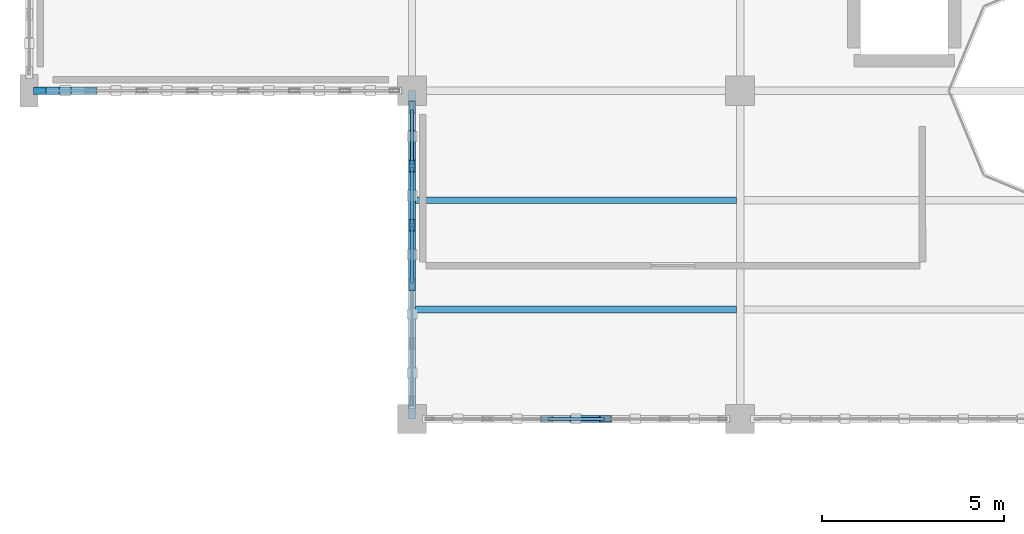
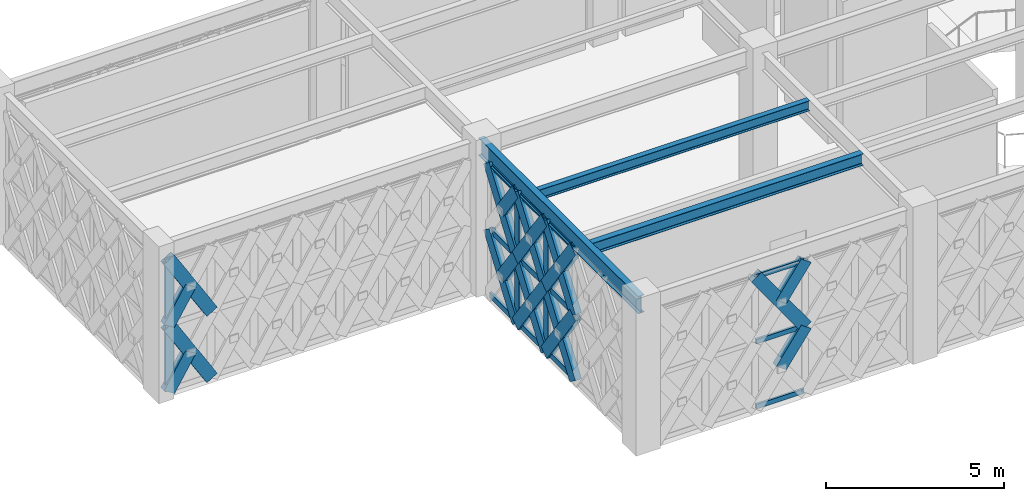
# One storey, part 4 of 86: 38 members, 3 beams, 3 elements without a shape of their own.
"""IFC4 building model written with IfcOpenShell, lengths in metres."""

import ifcopenshell
import ifcopenshell.guid

model = None  # the IFC model being written
_history = None  # IfcOwnerHistory: only IFC2X3 demands one
_inside = {}  # id of a spatial element -> (the spatial element, [elements in it])
_under = {}  # id of a project, library or spatial element -> (it, [spatial elements below it])
_declared = {}  # id of a project -> (the project, [libraries it declares])
_typed = {}  # id of a type object -> (the type object, [elements of that type])
_made_of = {}  # id of a material, layer set ... -> (it, [elements and type objects made of it])


def new_model(schema):
    """Start an empty IFC model of exactly this schema.

    Asked for "IFC4X3", IfcOpenShell would pick the latest addendum, in which some entities
    have other attributes; the version numbers below select the first issue.
    IFC2X3 requires an IfcOwnerHistory on every rooted entity: one is made here for all.
    """
    global model, _history
    if schema == "IFC4X3":
        model = ifcopenshell.file(schema_version=(4, 3, 0, 0))
    else:
        model = ifcopenshell.file(schema=schema)
    _inside.clear()
    _under.clear()
    _declared.clear()
    _typed.clear()
    _made_of.clear()
    _history = None
    if model.schema == "IFC2X3":
        org = make("IfcOrganization", Name="unknown")
        user = make(
            "IfcPersonAndOrganization",
            ThePerson=make("IfcPerson", FamilyName="unknown"),
            TheOrganization=org,
        )
        app = make(
            "IfcApplication",
            ApplicationDeveloper=org,
            Version="unknown",
            ApplicationFullName="unknown",
            ApplicationIdentifier="unknown",
        )
        _history = make(
            "IfcOwnerHistory",
            OwningUser=user,
            OwningApplication=app,
            ChangeAction="ADDED",
            CreationDate=0,
        )
    return model


def make(cls, **values):
    """One entity of the class cls with the attributes given. An attribute that is None is left unset."""
    return model.create_entity(
        cls, **{name: value for name, value in values.items() if value is not None}
    )


def rooted(cls, **values):
    """An entity with a GlobalId (a new one), such as an element, a storey or a relation."""
    return make(cls, GlobalId=ifcopenshell.guid.new(), OwnerHistory=_history, **values)


def si_unit(unit_type, name, prefix=None):
    """IfcSIUnit, for example si_unit("LENGTHUNIT", "METRE", prefix="MILLI")."""
    return make("IfcSIUnit", UnitType=unit_type, Prefix=prefix, Name=name)


def assignment(units):
    """IfcUnitAssignment: the units of a project."""
    return None if units is None else make("IfcUnitAssignment", Units=units)


def point(xyz):
    """IfcCartesianPoint."""
    return None if xyz is None else make("IfcCartesianPoint", Coordinates=xyz)


def direction(xyz):
    """IfcDirection."""
    return None if xyz is None else make("IfcDirection", DirectionRatios=xyz)


def frame(location, z_axis=None, x_axis=None):
    """IfcAxis2Placement3D, a coordinate frame: its origin and axes. An axis left out is left unset."""
    return make(
        "IfcAxis2Placement3D",
        Location=point(location),
        Axis=direction(z_axis),
        RefDirection=direction(x_axis),
    )


def frame_2d(location, x_axis=None):
    """IfcAxis2Placement2D, a coordinate frame in the plane: its origin and x axis."""
    return make(
        "IfcAxis2Placement2D", Location=point(location), RefDirection=direction(x_axis)
    )


def origin():
    """The frame at (0, 0, 0) with its axes left unset."""
    return frame((0.0, 0.0, 0.0))


def origin_2d():
    """The frame at (0, 0) in the plane with its x axis left unset."""
    return frame_2d((0.0, 0.0))


def place(relative_to, where):
    """IfcLocalPlacement: puts the frame where relative to a parent placement (None: the world)."""
    return make(
        "IfcLocalPlacement", PlacementRelTo=relative_to, RelativePlacement=where
    )


def context(
    kind, dimensions, precision=None, world=None, true_north=None, identifier=None
):
    """IfcGeometricRepresentationContext, for example the 3D "Model" context."""
    return make(
        "IfcGeometricRepresentationContext",
        ContextIdentifier=identifier,
        ContextType=kind,
        CoordinateSpaceDimension=dimensions,
        Precision=precision,
        WorldCoordinateSystem=world,
        TrueNorth=true_north,
    )


def subcontext(parent, identifier, kind, view, scale=None):
    """IfcGeometricRepresentationSubContext, for example "Body" below "Model"."""
    return make(
        "IfcGeometricRepresentationSubContext",
        ContextIdentifier=identifier,
        ContextType=kind,
        ParentContext=parent,
        TargetScale=scale,
        TargetView=view,
    )


def project(units=None, contexts=None):
    """IfcProject with its units and contexts."""
    return rooted(
        "IfcProject",
        Name="project",
        RepresentationContexts=contexts,
        UnitsInContext=assignment(units),
    )


def spatial(cls, under=None, at=None, **own):
    """A site, building, storey or space (cls), placed at a placement, below another one or the project."""
    s = rooted(cls, ObjectPlacement=at, **own)
    if under is not None:
        _under.setdefault(under.id(), (under, []))[1].append(s)
    return s


def profile(cls, at=None, kind="AREA", **sizes):
    """A parametric profile (cls). Its sizes go by their IFC names, for example OverallWidth=200.0."""
    return make(cls, ProfileType=kind, Position=at, **sizes)


def hollow_rectangle(**sizes):
    """IfcRectangleHollowProfileDef."""
    return profile("IfcRectangleHollowProfileDef", **sizes)


def i_section(**sizes):
    """IfcIShapeProfileDef."""
    return profile("IfcIShapeProfileDef", **sizes)


def extrude(swept, where, along, depth):
    """IfcExtrudedAreaSolid: the profile swept, set in the frame where, extruded along a direction by depth."""
    return make(
        "IfcExtrudedAreaSolid",
        SweptArea=swept,
        Position=where,
        ExtrudedDirection=direction(along),
        Depth=depth,
    )


def shape(context_of_items, identifier, shape_type, items):
    """IfcShapeRepresentation: the items that make up one representation, for example the "Body"."""
    return make(
        "IfcShapeRepresentation",
        ContextOfItems=context_of_items,
        RepresentationIdentifier=identifier,
        RepresentationType=shape_type,
        Items=items,
    )


def material(Name=None, Category=None):
    """IfcMaterial."""
    return make("IfcMaterial", Name=Name, Category=Category)


def material_profile(
    of_material, cross_section, Name=None, Category=None, Priority=None
):
    """IfcMaterialProfile: a cross section and its material."""
    return make(
        "IfcMaterialProfile",
        Name=Name,
        Material=of_material,
        Profile=cross_section,
        Priority=Priority,
        Category=Category,
    )


def profile_set(profiles, Name=None, composite=None):
    """IfcMaterialProfileSet."""
    return make(
        "IfcMaterialProfileSet",
        Name=Name,
        MaterialProfiles=profiles,
        CompositeProfile=composite,
    )


def made_of(thing, what):
    """Note that an element or type object is made of a material, layer set ...; save() writes the relation."""
    if what is not None:
        _made_of.setdefault(what.id(), (what, []))[1].append(thing)
    return thing


def type_object(cls, material=None, **own):
    """A type object (cls), such as IfcWallType, which elements share."""
    return made_of(rooted(cls, **own), material)


def element(
    cls,
    number,
    at=None,
    inside=None,
    cuts=None,
    type_object=None,
    material=None,
    context=None,
    identifier="Body",
    shape_type=None,
    held_by="IfcProductDefinitionShape",
    body=None,
    shapes=None,
    **own,
):
    """One element of the class cls, such as IfcWall. Its Tag is "e" and its number.

    at: its placement. inside: the storey or other place that contains it. cuts: it is an
    opening in that element (IfcRelVoidsElement). A single representation is given by context,
    identifier, shape_type and body (its items); several are given by shapes. held_by: the class
    of the entity that holds the representations. save() writes the other relations.
    """
    e = rooted(cls, Tag="e%d" % number, ObjectPlacement=at, **own)
    if body is not None:
        shapes = [shape(context, identifier, shape_type, body)]
    if shapes is not None:
        e.Representation = make(held_by, Representations=shapes)
    if inside is not None:
        _inside.setdefault(inside.id(), (inside, []))[1].append(e)
    if cuts is not None:
        rooted(
            "IfcRelVoidsElement", RelatingBuildingElement=cuts, RelatedOpeningElement=e
        )
    if type_object is not None:
        _typed.setdefault(type_object.id(), (type_object, []))[1].append(e)
    return made_of(e, material)


def aggregate(whole, parts):
    """IfcRelAggregates: a whole, such as a stair, and the parts it consists of."""
    return rooted("IfcRelAggregates", RelatingObject=whole, RelatedObjects=parts)


def save(model, path):
    """Write the relations noted so far, then the file.

    IfcRelAggregates (storeys below a building ...), IfcRelContainedInSpatialStructure (elements
    in a storey), IfcRelDefinesByType, IfcRelAssociatesMaterial and IfcRelDeclares: one each for
    every whole, place, type object, material and project.
    """
    for whole, parts in _under.values():
        aggregate(whole, parts)
    for where, things in _inside.values():
        rooted(
            "IfcRelContainedInSpatialStructure",
            RelatedElements=things,
            RelatingStructure=where,
        )
    for kind, things in _typed.values():
        rooted("IfcRelDefinesByType", RelatedObjects=things, RelatingType=kind)
    for what, things in _made_of.values():
        rooted("IfcRelAssociatesMaterial", RelatedObjects=things, RelatingMaterial=what)
    for by, libraries in _declared.values():
        rooted("IfcRelDeclares", RelatingContext=by, RelatedDefinitions=libraries)
    model.write(path)


model = new_model("IFC4")

# Units and contexts
model_context = context("Model", 3, precision=1e-05, world=origin(), true_north=direction((0.0, 1.0)))
body_context = subcontext(model_context, "Body", "Model", "MODEL_VIEW")
ifc_project = project(units=[si_unit("LENGTHUNIT", "METRE"), si_unit("AREAUNIT", "SQUARE_METRE"), si_unit("VOLUMEUNIT", "CUBIC_METRE"), si_unit("PLANEANGLEUNIT", "RADIAN"), si_unit("MASSUNIT", "GRAM", prefix="KILO")], contexts=[model_context])

# Site, building, storey
site_placement = place(None, origin())
site = spatial("IfcSite", under=ifc_project, at=site_placement, CompositionType="ELEMENT")
building_placement = place(site_placement, origin())
building = spatial("IfcBuilding", under=site, at=building_placement, Name="Haizhuo Lancet Aquarium", CompositionType="ELEMENT")
storey_placement = place(building_placement, frame((0.0, 0.0, 16.199951171875)))
storey = spatial("IfcBuildingStorey", under=building, at=storey_placement, Name="L03", CompositionType="ELEMENT", Elevation=16.199951171875)

# Beam
ifc_material_1 = material(Name="Steel S355", Category="steel")
ifc_material_profile_1 = material_profile(ifc_material_1, i_section(OverallWidth=0.199951171875, OverallDepth=0.60009765625, WebThickness=0.010986328125, FlangeThickness=0.01708984375, FilletRadius=0.02197265625, at=origin_2d()), Name="HN 600x200x11x17")
ifc_profile_set_1 = profile_set([ifc_material_profile_1], Name="Steel S355")
beam_type_1 = type_object("IfcBeamType", Name="BM-ST-HN600", PredefinedType="BEAM", material=ifc_profile_set_1)
beam_1_placement = place(storey_placement, frame((-72.0, -27.0, 4.85009765625), z_axis=(0.0, 1.0, 0.0), x_axis=(-1.0, 0.0, 0.0)))
element("IfcBeam", 1, at=beam_1_placement, inside=storey, type_object=beam_type_1, Name="L03 V6 primary girder BM-L03-V6-004", PredefinedType="BEAM", context=body_context, shape_type="SweptSolid", body=[
    extrude(i_section(OverallWidth=0.199951171875, OverallDepth=0.60009765625, WebThickness=0.010986328125, FlangeThickness=0.01708984375, FilletRadius=0.02197265625, at=origin_2d()), origin(), (0.0, 0.0, 1.0), 9.0),
])

# Curtain wall, member
ifc_material_2 = material(Name="Aluminium 6063-T6", Category="aluminium")
curtain_wall_type_1 = type_object("IfcCurtainWallType", Name="CWD-9760x4550", PredefinedType="NOTDEFINED", material=ifc_material_2)
curtain_wall_1_placement = place(storey_placement, origin())
curtain_wall_1 = element("IfcCurtainWall", 2, at=curtain_wall_1_placement, inside=storey, type_object=curtain_wall_type_1, Name="L03 curtain wall CW-V6-L03-228", PredefinedType="NOTDEFINED")
ifc_material_profile_2 = material_profile(ifc_material_2, hollow_rectangle(XDim=0.080078125, YDim=0.260009765625, WallThickness=0.0048828125, at=origin_2d()), Name="ALU-M 80x260x5")
ifc_profile_set_2 = profile_set([ifc_material_profile_2], Name="Aluminium 6063-T6")
member_type_1 = type_object("IfcMemberType", Name="CW-MUL-3", PredefinedType="MULLION", material=ifc_profile_set_2)
member_1_placement = place(storey_placement, frame((-82.1650390625, -18.0, 0.0), z_axis=(0.0, 0.0, 1.0), x_axis=(0.0, -1.0, 0.0)))
member_1 = element("IfcMember", 3, at=member_1_placement, type_object=member_type_1, Name="CWD-97x45 mullion 8", PredefinedType="MULLION", context=body_context, shape_type="SweptSolid", body=[
    extrude(hollow_rectangle(XDim=0.080078125, YDim=0.260009765625, WallThickness=0.0048828125, at=origin_2d()), origin(), (0.0, 0.0, 1.0), 4.550048828125),
])
aggregate(curtain_wall_1, [member_1])

# Curtain wall, members
curtain_wall_type_2 = type_object("IfcCurtainWallType", Name="CWD-8110x4550", PredefinedType="NOTDEFINED", material=ifc_material_2)
curtain_wall_2_placement = place(storey_placement, origin())
curtain_wall_2 = element("IfcCurtainWall", 4, at=curtain_wall_2_placement, inside=storey, type_object=curtain_wall_type_2, Name="L03 curtain wall CW-V6-L03-243", PredefinedType="NOTDEFINED")
member_2_placement = place(storey_placement, frame((-72.0, -21.68896484375, 0.0), z_axis=(0.0, 0.0, 1.0), x_axis=(-1.0, 0.0, 0.0)))
member_2 = element("IfcMember", 5, at=member_2_placement, type_object=member_type_1, Name="CWD-81x45 mullion 4", PredefinedType="MULLION", context=body_context, shape_type="SweptSolid", body=[
    extrude(hollow_rectangle(XDim=0.080078125, YDim=0.260009765625, WallThickness=0.0048828125, at=origin_2d()), origin(), (0.0, 0.0, 1.0), 4.550048828125),
])
member_3_placement = place(storey_placement, frame((-72.0, -20.06689453125, 0.0), z_axis=(0.0, 0.0, 1.0), x_axis=(-1.0, 0.0, 0.0)))
member_3 = element("IfcMember", 6, at=member_3_placement, type_object=member_type_1, Name="CWD-81x45 mullion 5", PredefinedType="MULLION", context=body_context, shape_type="SweptSolid", body=[
    extrude(hollow_rectangle(XDim=0.080078125, YDim=0.260009765625, WallThickness=0.0048828125, at=origin_2d()), origin(), (0.0, 0.0, 1.0), 4.550048828125),
])

curtain_wall_3_placement = place(storey_placement, origin())
curtain_wall_3 = element("IfcCurtainWall", 7, at=curtain_wall_3_placement, inside=storey, type_object=curtain_wall_type_2, Name="L03 curtain wall CW-V6-L03-242", PredefinedType="NOTDEFINED")
ifc_material_profile_3 = material_profile(ifc_material_2, hollow_rectangle(XDim=0.074951171875, YDim=0.159912109375, WallThickness=0.00390625, at=origin_2d()), Name="ALU-T 75x160x4")
ifc_profile_set_3 = profile_set([ifc_material_profile_3], Name="Aluminium 6063-T6")
member_type_2 = type_object("IfcMemberType", Name="CW-TRN-2", PredefinedType="NOTDEFINED", material=ifc_profile_set_3)
member_4_placement = place(storey_placement, frame((-66.72705078125, -27.0, 0.0380859375), z_axis=(-1.0, 0.0, 0.0), x_axis=(0.0, -1.0, 0.0)))
member_4 = element("IfcMember", 8, at=member_4_placement, type_object=member_type_2, Name="CWD-81x45 transom 3.1", ObjectType="TRANSOM", PredefinedType="USERDEFINED", context=body_context, shape_type="SweptSolid", body=[
    extrude(hollow_rectangle(XDim=0.074951171875, YDim=0.159912109375, WallThickness=0.00390625, at=origin_2d()), origin(), (0.0, 0.0, 1.0), 1.5458984375),
])
member_5_placement = place(storey_placement, frame((-66.72705078125, -27.0, 2.275146484375), z_axis=(-1.0, 0.0, 0.0), x_axis=(0.0, -1.0, 0.0)))
member_5 = element("IfcMember", 9, at=member_5_placement, type_object=member_type_2, Name="CWD-81x45 transom 3.2", ObjectType="TRANSOM", PredefinedType="USERDEFINED", context=body_context, shape_type="SweptSolid", body=[
    extrude(hollow_rectangle(XDim=0.074951171875, YDim=0.159912109375, WallThickness=0.00390625, at=origin_2d()), origin(), (0.0, 0.0, 1.0), 1.5458984375),
])
member_6_placement = place(storey_placement, frame((-66.72705078125, -27.0, 4.511962890625), z_axis=(-1.0, 0.0, 0.0), x_axis=(0.0, -1.0, 0.0)))
member_6 = element("IfcMember", 10, at=member_6_placement, type_object=member_type_2, Name="CWD-81x45 transom 3.3", ObjectType="TRANSOM", PredefinedType="USERDEFINED", context=body_context, shape_type="SweptSolid", body=[
    extrude(hollow_rectangle(XDim=0.074951171875, YDim=0.159912109375, WallThickness=0.00390625, at=origin_2d()), origin(), (0.0, 0.0, 1.0), 1.5458984375),
])
aggregate(curtain_wall_3, [member_4, member_5, member_6])

# Member
ifc_material_profile_4 = material_profile(ifc_material_2, hollow_rectangle(XDim=0.080078125, YDim=0.18994140625, WallThickness=0.0048828125, at=origin_2d()), Name="ALU-T 80x190x5")
ifc_profile_set_4 = profile_set([ifc_material_profile_4], Name="Aluminium 6063-T6")
member_type_3 = type_object("IfcMemberType", Name="CW-TRN-3", PredefinedType="NOTDEFINED", material=ifc_profile_set_4)
member_7_placement = place(storey_placement, frame((-72.0, -23.27099609375, 0.0400390625), z_axis=(0.0, 1.0, 0.0), x_axis=(-1.0, 0.0, 0.0)))
member_7 = element("IfcMember", 11, at=member_7_placement, type_object=member_type_3, Name="CWD-81x45 transom 3.1", ObjectType="TRANSOM", PredefinedType="USERDEFINED", context=body_context, shape_type="SweptSolid", body=[
    extrude(hollow_rectangle(XDim=0.080078125, YDim=0.18994140625, WallThickness=0.0048828125, at=origin_2d()), origin(), (0.0, 0.0, 1.0), 1.5419921875),
])

member_8_placement = place(storey_placement, frame((-72.0, -23.27099609375, 2.275146484375), z_axis=(0.0, 1.0, 0.0), x_axis=(-1.0, 0.0, 0.0)))
member_8 = element("IfcMember", 12, at=member_8_placement, type_object=member_type_3, Name="CWD-81x45 transom 3.2", ObjectType="TRANSOM", PredefinedType="USERDEFINED", context=body_context, shape_type="SweptSolid", body=[
    extrude(hollow_rectangle(XDim=0.080078125, YDim=0.18994140625, WallThickness=0.0048828125, at=origin_2d()), origin(), (0.0, 0.0, 1.0), 1.5419921875),
])

member_9_placement = place(storey_placement, frame((-72.0, -23.27099609375, 4.510009765625), z_axis=(0.0, 1.0, 0.0), x_axis=(-1.0, 0.0, 0.0)))
member_9 = element("IfcMember", 13, at=member_9_placement, type_object=member_type_3, Name="CWD-81x45 transom 3.3", ObjectType="TRANSOM", PredefinedType="USERDEFINED", context=body_context, shape_type="SweptSolid", body=[
    extrude(hollow_rectangle(XDim=0.080078125, YDim=0.18994140625, WallThickness=0.0048828125, at=origin_2d()), origin(), (0.0, 0.0, 1.0), 1.5419921875),
])

member_10_placement = place(storey_placement, frame((-72.0, -21.64892578125, 0.0400390625), z_axis=(0.0, 1.0, 0.0), x_axis=(-1.0, 0.0, 0.0)))
member_10 = element("IfcMember", 14, at=member_10_placement, type_object=member_type_3, Name="CWD-81x45 transom 4.1", ObjectType="TRANSOM", PredefinedType="USERDEFINED", context=body_context, shape_type="SweptSolid", body=[
    extrude(hollow_rectangle(XDim=0.080078125, YDim=0.18994140625, WallThickness=0.0048828125, at=origin_2d()), origin(), (0.0, 0.0, 1.0), 1.5419921875),
])

member_11_placement = place(storey_placement, frame((-72.0, -21.64892578125, 2.275146484375), z_axis=(0.0, 1.0, 0.0), x_axis=(-1.0, 0.0, 0.0)))
member_11 = element("IfcMember", 15, at=member_11_placement, type_object=member_type_3, Name="CWD-81x45 transom 4.2", ObjectType="TRANSOM", PredefinedType="USERDEFINED", context=body_context, shape_type="SweptSolid", body=[
    extrude(hollow_rectangle(XDim=0.080078125, YDim=0.18994140625, WallThickness=0.0048828125, at=origin_2d()), origin(), (0.0, 0.0, 1.0), 1.5419921875),
])

member_12_placement = place(storey_placement, frame((-72.0, -21.64892578125, 4.510009765625), z_axis=(0.0, 1.0, 0.0), x_axis=(-1.0, 0.0, 0.0)))
member_12 = element("IfcMember", 16, at=member_12_placement, type_object=member_type_3, Name="CWD-81x45 transom 4.3", ObjectType="TRANSOM", PredefinedType="USERDEFINED", context=body_context, shape_type="SweptSolid", body=[
    extrude(hollow_rectangle(XDim=0.080078125, YDim=0.18994140625, WallThickness=0.0048828125, at=origin_2d()), origin(), (0.0, 0.0, 1.0), 1.5419921875),
])

member_13_placement = place(storey_placement, frame((-72.0, -20.027099609375, 0.0400390625), z_axis=(0.0, 1.0, 0.0), x_axis=(-1.0, 0.0, 0.0)))
member_13 = element("IfcMember", 17, at=member_13_placement, type_object=member_type_3, Name="CWD-81x45 transom 5.1", ObjectType="TRANSOM", PredefinedType="USERDEFINED", context=body_context, shape_type="SweptSolid", body=[
    extrude(hollow_rectangle(XDim=0.080078125, YDim=0.18994140625, WallThickness=0.0048828125, at=origin_2d()), origin(), (0.0, 0.0, 1.0), 1.502197265625),
])

member_14_placement = place(storey_placement, frame((-72.0, -20.027099609375, 2.275146484375), z_axis=(0.0, 1.0, 0.0), x_axis=(-1.0, 0.0, 0.0)))
member_14 = element("IfcMember", 18, at=member_14_placement, type_object=member_type_3, Name="CWD-81x45 transom 5.2", ObjectType="TRANSOM", PredefinedType="USERDEFINED", context=body_context, shape_type="SweptSolid", body=[
    extrude(hollow_rectangle(XDim=0.080078125, YDim=0.18994140625, WallThickness=0.0048828125, at=origin_2d()), origin(), (0.0, 0.0, 1.0), 1.502197265625),
])

member_15_placement = place(storey_placement, frame((-72.0, -20.027099609375, 4.510009765625), z_axis=(0.0, 1.0, 0.0), x_axis=(-1.0, 0.0, 0.0)))
member_15 = element("IfcMember", 19, at=member_15_placement, type_object=member_type_3, Name="CWD-81x45 transom 5.3", ObjectType="TRANSOM", PredefinedType="USERDEFINED", context=body_context, shape_type="SweptSolid", body=[
    extrude(hollow_rectangle(XDim=0.080078125, YDim=0.18994140625, WallThickness=0.0048828125, at=origin_2d()), origin(), (0.0, 0.0, 1.0), 1.502197265625),
])

aggregate(curtain_wall_2, [member_2, member_3, member_7, member_8, member_9, member_10, member_11, member_12, member_13, member_14, member_15])

# Beams
ifc_material_profile_5 = material_profile(ifc_material_1, i_section(OverallWidth=0.175048828125, OverallDepth=0.35009765625, WebThickness=0.007080078125, FlangeThickness=0.010986328125, FilletRadius=0.013916015625, at=origin_2d()), Name="HN 350x175x7x11")
ifc_profile_set_5 = profile_set([ifc_material_profile_5], Name="Steel S355")
beam_type_2 = type_object("IfcBeamType", Name="JST-ST-HN350", PredefinedType="JOIST", material=ifc_profile_set_5)
beam_2_placement = place(storey_placement, frame((-71.89990234375, -21.0, 4.97509765625), z_axis=(1.0, 0.0, 0.0), x_axis=(0.0, 1.0, 0.0)))
element("IfcBeam", 20, at=beam_2_placement, inside=storey, type_object=beam_type_2, Name="L03 V6 secondary floor joist 4", PredefinedType="JOIST", context=body_context, shape_type="SweptSolid", body=[
    extrude(i_section(OverallWidth=0.175048828125, OverallDepth=0.35009765625, WebThickness=0.007080078125, FlangeThickness=0.010986328125, FilletRadius=0.013916015625, at=origin_2d()), origin(), (0.0, 0.0, 1.0), 8.7998046875),
])
ifc_material_profile_6 = material_profile(ifc_material_1, i_section(OverallWidth=0.199951171875, OverallDepth=0.39990234375, WebThickness=0.008056640625, FlangeThickness=0.012939453125, FilletRadius=0.01611328125, at=origin_2d()), Name="HN 400x200x8x13")
ifc_profile_set_6 = profile_set([ifc_material_profile_6], Name="Steel S355")
beam_type_3 = type_object("IfcBeamType", Name="JST-ST-HN400", PredefinedType="JOIST", material=ifc_profile_set_6)
beam_3_placement = place(storey_placement, frame((-71.89990234375, -24.0, 4.949951171875), z_axis=(1.0, 0.0, 0.0), x_axis=(0.0, 1.0, 0.0)))
element("IfcBeam", 21, at=beam_3_placement, inside=storey, type_object=beam_type_3, Name="L03 V6 secondary floor joist 3", PredefinedType="JOIST", context=body_context, shape_type="SweptSolid", body=[
    extrude(i_section(OverallWidth=0.199951171875, OverallDepth=0.39990234375, WebThickness=0.008056640625, FlangeThickness=0.012939453125, FilletRadius=0.01611328125, at=origin_2d()), origin(), (0.0, 0.0, 1.0), 8.7998046875),
])

# Members
ifc_material_profile_7 = material_profile(ifc_material_1, hollow_rectangle(XDim=0.199951171875, YDim=0.39990234375, WallThickness=0.011962890625, at=origin_2d()), Name="RHS 200x400x12")
ifc_profile_set_7 = profile_set([ifc_material_profile_7], Name="Steel S355")
member_type_4 = type_object("IfcMemberType", Name="MEM-LB-RHS200x400", PredefinedType="BRACE", material=ifc_profile_set_7)
member_16_placement = place(storey_placement, frame((-80.81103515625, -18.0, 0.0), z_axis=(-0.522452629968, 0.0, 0.852668311502), x_axis=(0.0, -1.0, 0.0)))
element("IfcMember", 22, at=member_16_placement, inside=storey, type_object=member_type_4, Name="Gothic lancet continuous diagonal brace CW-V6-L03-228 13A", PredefinedType="BRACE", context=body_context, shape_type="SweptSolid", body=[
    extrude(hollow_rectangle(XDim=0.199951171875, YDim=0.39990234375, WallThickness=0.011962890625, at=origin_2d()), origin(), (0.0, 0.0, 1.0), 2.668212890625),
])
member_17_placement = place(storey_placement, frame((-82.205078125, -18.0, 0.0), z_axis=(0.522656496285, 0.0, 0.852543363643), x_axis=(0.0, 1.0, 0.0)))
element("IfcMember", 23, at=member_17_placement, inside=storey, type_object=member_type_4, Name="Gothic lancet split diagonal brace CW-V6-L03-228 13B1", PredefinedType="BRACE", context=body_context, shape_type="SweptSolid", body=[
    extrude(hollow_rectangle(XDim=0.199951171875, YDim=0.39990234375, WallThickness=0.011962890625, at=origin_2d()), origin(), (0.0, 0.0, 1.0), 1.33349609375),
])
member_18_placement = place(storey_placement, frame((-80.81103515625, -18.0, 2.275146484375), z_axis=(-0.522493392897, 0.0, 0.852643333627), x_axis=(0.0, -1.0, 0.0)))
element("IfcMember", 24, at=member_18_placement, inside=storey, type_object=member_type_4, Name="Gothic lancet continuous diagonal brace CW-V6-L03-228 14A", PredefinedType="BRACE", context=body_context, shape_type="SweptSolid", body=[
    extrude(hollow_rectangle(XDim=0.199951171875, YDim=0.39990234375, WallThickness=0.011962890625, at=origin_2d()), origin(), (0.0, 0.0, 1.0), 2.66796875),
])
member_19_placement = place(storey_placement, frame((-82.205078125, -18.0, 2.275146484375), z_axis=(0.522330372177, 0.0, 0.852743210059), x_axis=(0.0, 1.0, 0.0)))
element("IfcMember", 25, at=member_19_placement, inside=storey, type_object=member_type_4, Name="Gothic lancet split diagonal brace CW-V6-L03-228 14B1", PredefinedType="BRACE", context=body_context, shape_type="SweptSolid", body=[
    extrude(hollow_rectangle(XDim=0.199951171875, YDim=0.39990234375, WallThickness=0.011962890625, at=origin_2d()), origin(), (0.0, 0.0, 1.0), 1.33447265625),
])
member_20_placement = place(storey_placement, frame((-67.5, -27.0, 1.136962890625), z_axis=(0.580312445357, 0.0, 0.814393925422), x_axis=(0.0, 1.0, 0.0)))
element("IfcMember", 26, at=member_20_placement, inside=storey, type_object=member_type_4, Name="Gothic lancet split diagonal brace CW-V6-L03-242 5B2", PredefinedType="BRACE", context=body_context, shape_type="SweptSolid", body=[
    extrude(hollow_rectangle(XDim=0.199951171875, YDim=0.39990234375, WallThickness=0.011962890625, at=origin_2d()), origin(), (0.0, 0.0, 1.0), 1.397705078125),
])
member_21_placement = place(storey_placement, frame((-66.68896484375, -27.0, 2.275146484375), z_axis=(-0.580560197953, 0.0, 0.814217327593), x_axis=(0.0, -1.0, 0.0)))
element("IfcMember", 27, at=member_21_placement, inside=storey, type_object=member_type_4, Name="Gothic lancet continuous diagonal brace CW-V6-L03-242 6A", PredefinedType="BRACE", context=body_context, shape_type="SweptSolid", body=[
    extrude(hollow_rectangle(XDim=0.199951171875, YDim=0.39990234375, WallThickness=0.011962890625, at=origin_2d()), origin(), (0.0, 0.0, 1.0), 2.7939453125),
])
member_22_placement = place(storey_placement, frame((-67.5, -27.0, 3.4130859375), z_axis=(0.580725454015, 0.0, 0.814099470003), x_axis=(0.0, 1.0, 0.0)))
element("IfcMember", 28, at=member_22_placement, inside=storey, type_object=member_type_4, Name="Gothic lancet split diagonal brace CW-V6-L03-242 6B2", PredefinedType="BRACE", context=body_context, shape_type="SweptSolid", body=[
    extrude(hollow_rectangle(XDim=0.199951171875, YDim=0.39990234375, WallThickness=0.011962890625, at=origin_2d()), origin(), (0.0, 0.0, 1.0), 1.396484375),
])
member_23_placement = place(storey_placement, frame((-72.0, -23.31103515625, 0.0), z_axis=(0.0, 0.580518894897, 0.814246776271), x_axis=(-1.0, 0.0, 0.0)))
element("IfcMember", 29, at=member_23_placement, inside=storey, type_object=member_type_4, Name="Gothic lancet continuous diagonal brace CW-V6-L03-243 5A", PredefinedType="BRACE", context=body_context, shape_type="SweptSolid", body=[
    extrude(hollow_rectangle(XDim=0.199951171875, YDim=0.39990234375, WallThickness=0.011962890625, at=origin_2d()), origin(), (0.0, 0.0, 1.0), 2.794189453125),
])
member_24_placement = place(storey_placement, frame((-72.0, -21.68896484375, 0.0), z_axis=(0.0, -0.580725454015, 0.814099470003), x_axis=(1.0, 0.0, 0.0)))
element("IfcMember", 30, at=member_24_placement, inside=storey, type_object=member_type_4, Name="Gothic lancet split diagonal brace CW-V6-L03-243 5B1", PredefinedType="BRACE", context=body_context, shape_type="SweptSolid", body=[
    extrude(hollow_rectangle(XDim=0.199951171875, YDim=0.39990234375, WallThickness=0.011962890625, at=origin_2d()), origin(), (0.0, 0.0, 1.0), 1.396484375),
])
member_25_placement = place(storey_placement, frame((-72.0, -22.5, 1.136962890625), z_axis=(0.0, -0.580312445357, 0.814393925422), x_axis=(1.0, 0.0, 0.0)))
element("IfcMember", 31, at=member_25_placement, inside=storey, type_object=member_type_4, Name="Gothic lancet split diagonal brace CW-V6-L03-243 5B2", PredefinedType="BRACE", context=body_context, shape_type="SweptSolid", body=[
    extrude(hollow_rectangle(XDim=0.199951171875, YDim=0.39990234375, WallThickness=0.011962890625, at=origin_2d()), origin(), (0.0, 0.0, 1.0), 1.397705078125),
])
member_26_placement = place(storey_placement, frame((-72.0, -23.31103515625, 2.275146484375), z_axis=(0.0, 0.580560197953, 0.814217327593), x_axis=(-1.0, 0.0, 0.0)))
element("IfcMember", 32, at=member_26_placement, inside=storey, type_object=member_type_4, Name="Gothic lancet continuous diagonal brace CW-V6-L03-243 6A", PredefinedType="BRACE", context=body_context, shape_type="SweptSolid", body=[
    extrude(hollow_rectangle(XDim=0.199951171875, YDim=0.39990234375, WallThickness=0.011962890625, at=origin_2d()), origin(), (0.0, 0.0, 1.0), 2.7939453125),
])
member_27_placement = place(storey_placement, frame((-72.0, -21.68896484375, 2.275146484375), z_axis=(0.0, -0.580395012026, 0.814335084603), x_axis=(1.0, 0.0, 0.0)))
element("IfcMember", 33, at=member_27_placement, inside=storey, type_object=member_type_4, Name="Gothic lancet split diagonal brace CW-V6-L03-243 6B1", PredefinedType="BRACE", context=body_context, shape_type="SweptSolid", body=[
    extrude(hollow_rectangle(XDim=0.199951171875, YDim=0.39990234375, WallThickness=0.011962890625, at=origin_2d()), origin(), (0.0, 0.0, 1.0), 1.3974609375),
])
member_28_placement = place(storey_placement, frame((-72.0, -22.5, 3.4130859375), z_axis=(0.0, -0.580725454015, 0.814099470003), x_axis=(1.0, 0.0, 0.0)))
element("IfcMember", 34, at=member_28_placement, inside=storey, type_object=member_type_4, Name="Gothic lancet split diagonal brace CW-V6-L03-243 6B2", PredefinedType="BRACE", context=body_context, shape_type="SweptSolid", body=[
    extrude(hollow_rectangle(XDim=0.199951171875, YDim=0.39990234375, WallThickness=0.011962890625, at=origin_2d()), origin(), (0.0, 0.0, 1.0), 1.396484375),
])
member_29_placement = place(storey_placement, frame((-72.0, -21.68896484375, 0.0), z_axis=(0.0, 0.580518894897, 0.814246776271), x_axis=(-1.0, 0.0, 0.0)))
element("IfcMember", 35, at=member_29_placement, inside=storey, type_object=member_type_4, Name="Gothic lancet continuous diagonal brace CW-V6-L03-243 7A", PredefinedType="BRACE", context=body_context, shape_type="SweptSolid", body=[
    extrude(hollow_rectangle(XDim=0.199951171875, YDim=0.39990234375, WallThickness=0.011962890625, at=origin_2d()), origin(), (0.0, 0.0, 1.0), 2.794189453125),
])
member_30_placement = place(storey_placement, frame((-72.0, -20.06689453125, 0.0), z_axis=(0.0, -0.580725454015, 0.814099470003), x_axis=(1.0, 0.0, 0.0)))
element("IfcMember", 36, at=member_30_placement, inside=storey, type_object=member_type_4, Name="Gothic lancet split diagonal brace CW-V6-L03-243 7B1", PredefinedType="BRACE", context=body_context, shape_type="SweptSolid", body=[
    extrude(hollow_rectangle(XDim=0.199951171875, YDim=0.39990234375, WallThickness=0.011962890625, at=origin_2d()), origin(), (0.0, 0.0, 1.0), 1.396484375),
])
member_31_placement = place(storey_placement, frame((-72.0, -20.8779296875, 1.136962890625), z_axis=(0.0, -0.580312445357, 0.814393925422), x_axis=(1.0, 0.0, 0.0)))
element("IfcMember", 37, at=member_31_placement, inside=storey, type_object=member_type_4, Name="Gothic lancet split diagonal brace CW-V6-L03-243 7B2", PredefinedType="BRACE", context=body_context, shape_type="SweptSolid", body=[
    extrude(hollow_rectangle(XDim=0.199951171875, YDim=0.39990234375, WallThickness=0.011962890625, at=origin_2d()), origin(), (0.0, 0.0, 1.0), 1.397705078125),
])
member_32_placement = place(storey_placement, frame((-72.0, -21.68896484375, 2.275146484375), z_axis=(0.0, 0.580560197953, 0.814217327593), x_axis=(-1.0, 0.0, 0.0)))
element("IfcMember", 38, at=member_32_placement, inside=storey, type_object=member_type_4, Name="Gothic lancet continuous diagonal brace CW-V6-L03-243 8A", PredefinedType="BRACE", context=body_context, shape_type="SweptSolid", body=[
    extrude(hollow_rectangle(XDim=0.199951171875, YDim=0.39990234375, WallThickness=0.011962890625, at=origin_2d()), origin(), (0.0, 0.0, 1.0), 2.7939453125),
])
member_33_placement = place(storey_placement, frame((-72.0, -20.06689453125, 2.275146484375), z_axis=(0.0, -0.580395012026, 0.814335084603), x_axis=(1.0, 0.0, 0.0)))
element("IfcMember", 39, at=member_33_placement, inside=storey, type_object=member_type_4, Name="Gothic lancet split diagonal brace CW-V6-L03-243 8B1", PredefinedType="BRACE", context=body_context, shape_type="SweptSolid", body=[
    extrude(hollow_rectangle(XDim=0.199951171875, YDim=0.39990234375, WallThickness=0.011962890625, at=origin_2d()), origin(), (0.0, 0.0, 1.0), 1.3974609375),
])
member_34_placement = place(storey_placement, frame((-72.0, -20.8779296875, 3.4130859375), z_axis=(0.0, -0.580725454015, 0.814099470003), x_axis=(1.0, 0.0, 0.0)))
element("IfcMember", 40, at=member_34_placement, inside=storey, type_object=member_type_4, Name="Gothic lancet split diagonal brace CW-V6-L03-243 8B2", PredefinedType="BRACE", context=body_context, shape_type="SweptSolid", body=[
    extrude(hollow_rectangle(XDim=0.199951171875, YDim=0.39990234375, WallThickness=0.011962890625, at=origin_2d()), origin(), (0.0, 0.0, 1.0), 1.396484375),
])
member_35_placement = place(storey_placement, frame((-72.0, -20.06689453125, 0.0), z_axis=(0.0, 0.580460961116, 0.81428807717), x_axis=(-1.0, 0.0, 0.0)))
element("IfcMember", 41, at=member_35_placement, inside=storey, type_object=member_type_4, Name="Gothic lancet continuous diagonal brace CW-V6-L03-243 9A", PredefinedType="BRACE", context=body_context, shape_type="SweptSolid", body=[
    extrude(hollow_rectangle(XDim=0.199951171875, YDim=0.39990234375, WallThickness=0.011962890625, at=origin_2d()), origin(), (0.0, 0.0, 1.0), 2.7939453125),
])
member_36_placement = place(storey_placement, frame((-72.0, -19.256103515625, 1.136962890625), z_axis=(0.0, -0.580196568329, 0.814476483454), x_axis=(1.0, 0.0, 0.0)))
element("IfcMember", 42, at=member_36_placement, inside=storey, type_object=member_type_4, Name="Gothic lancet split diagonal brace CW-V6-L03-243 9B2", PredefinedType="BRACE", context=body_context, shape_type="SweptSolid", body=[
    extrude(hollow_rectangle(XDim=0.199951171875, YDim=0.39990234375, WallThickness=0.011962890625, at=origin_2d()), origin(), (0.0, 0.0, 1.0), 1.3974609375),
])
member_37_placement = place(storey_placement, frame((-72.0, -20.06689453125, 2.275146484375), z_axis=(0.0, 0.58050226424, 0.814258632875), x_axis=(-1.0, 0.0, 0.0)))
element("IfcMember", 43, at=member_37_placement, inside=storey, type_object=member_type_4, Name="Gothic lancet continuous diagonal brace CW-V6-L03-243 10A", PredefinedType="BRACE", context=body_context, shape_type="SweptSolid", body=[
    extrude(hollow_rectangle(XDim=0.199951171875, YDim=0.39990234375, WallThickness=0.011962890625, at=origin_2d()), origin(), (0.0, 0.0, 1.0), 2.7939453125),
])
member_38_placement = place(storey_placement, frame((-72.0, -19.256103515625, 3.4130859375), z_axis=(0.0, -0.580609578331, 0.814182115715), x_axis=(1.0, 0.0, 0.0)))
element("IfcMember", 44, at=member_38_placement, inside=storey, type_object=member_type_4, Name="Gothic lancet split diagonal brace CW-V6-L03-243 10B2", PredefinedType="BRACE", context=body_context, shape_type="SweptSolid", body=[
    extrude(hollow_rectangle(XDim=0.199951171875, YDim=0.39990234375, WallThickness=0.011962890625, at=origin_2d()), origin(), (0.0, 0.0, 1.0), 1.396484375),
])

save(model, "model.ifc")
